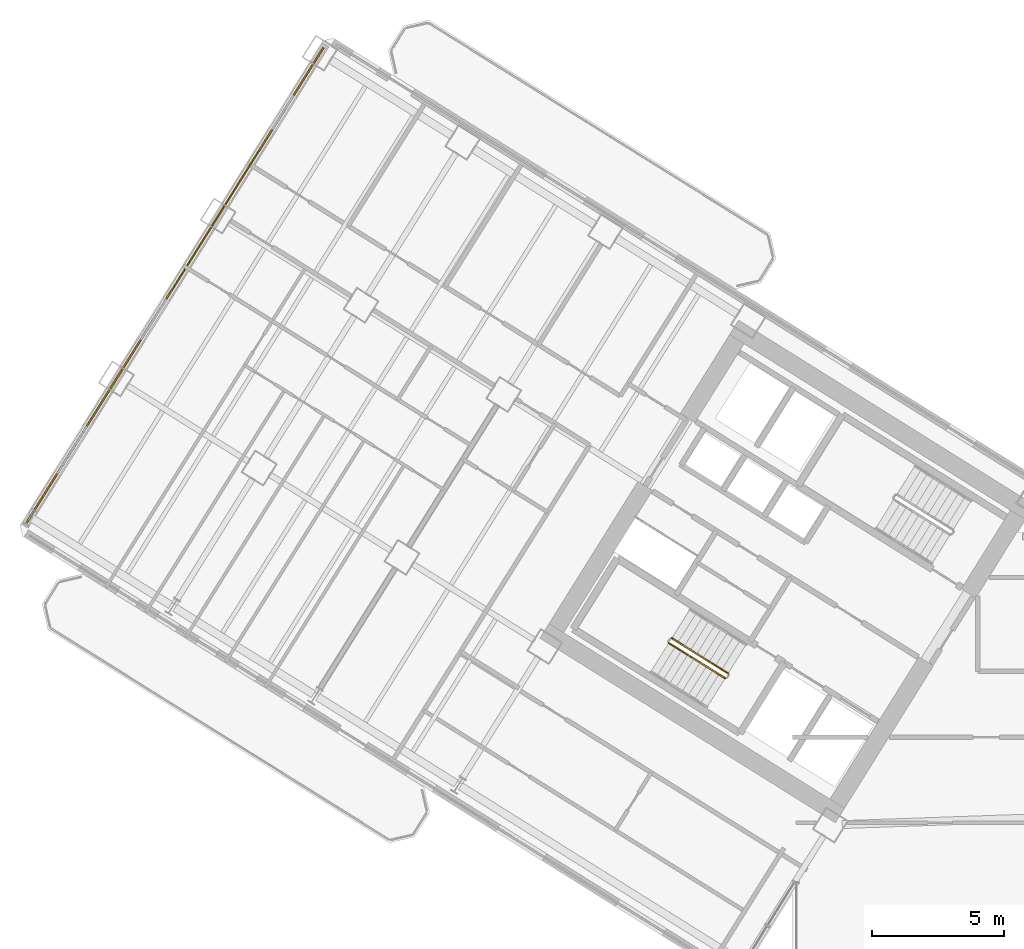
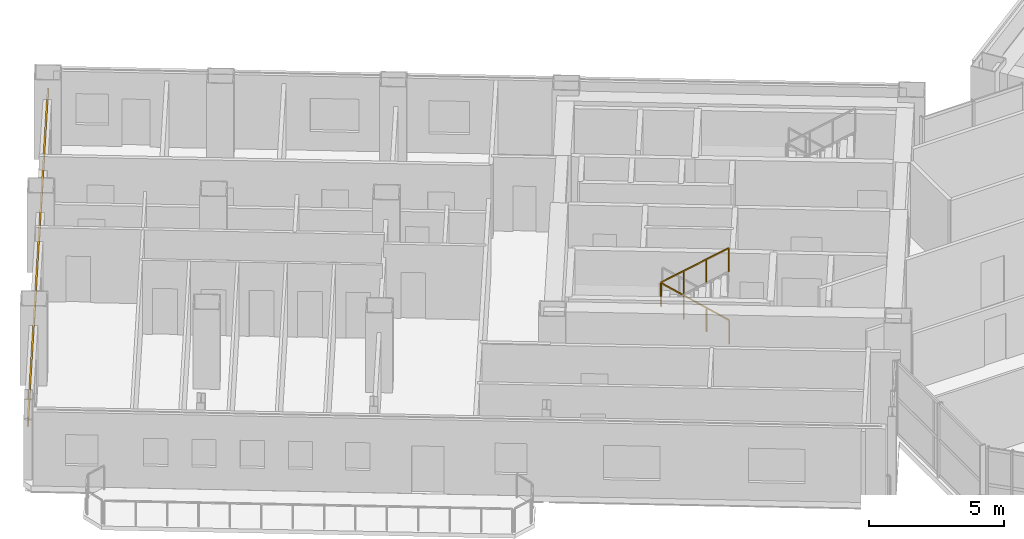
# One storey, part 23 of 28: 2 railings, 1 covering.
"""IFC4 building model written with IfcOpenShell, lengths in metres."""

from ifc_helpers import new_model, si_unit, direction, frame, origin, origin_2d, place, context, subcontext, project, spatial, rectangle, extrude, source, transform, mapped, material, layer, layer_set, type_object, element, save


model = new_model("IFC4")

# Units and contexts
model_context = context("Model", 3, precision=1e-05, world=origin(), true_north=direction((0.0, 1.0)))
body_context = subcontext(model_context, "Body", "Model", "MODEL_VIEW")
ifc_project = project(units=[si_unit("LENGTHUNIT", "METRE"), si_unit("AREAUNIT", "SQUARE_METRE"), si_unit("VOLUMEUNIT", "CUBIC_METRE"), si_unit("PLANEANGLEUNIT", "RADIAN"), si_unit("MASSUNIT", "GRAM", prefix="KILO")], contexts=[model_context])

# Site, building, storey
site_placement = place(None, origin())
site = spatial("IfcSite", under=ifc_project, at=site_placement, CompositionType="ELEMENT")
building_placement = place(site_placement, origin())
building = spatial("IfcBuilding", under=site, at=building_placement, Name="Tlacorven Tower", CompositionType="ELEMENT")
storey_placement = place(building_placement, frame((0.0, 0.0, 63.60009765625)))
storey = spatial("IfcBuildingStorey", under=building, at=storey_placement, Name="L16", CompositionType="ELEMENT", Elevation=63.60009765625)

# Covering
ifc_material_1 = material(Name="Precast concrete C45/55", Category="concrete")
ifc_layer = layer(ifc_material_1, 0.06005859375)
ifc_layer_set = layer_set([ifc_layer], Name="Precast concrete C45/55")
covering_type = type_object("IfcCoveringType", Name="CV-CLD-TERC", PredefinedType="CLADDING", material=ifc_layer_set)
shared_shape_1 = source(origin(), body_context, "Body", "SweptSolid", [
    extrude(rectangle(XDim=21.287353515625, YDim=0.06005859375, at=origin_2d()), origin(), (0.0, 0.0, 1.0), 0.419921875),
])
covering_placement = place(storey_placement, frame((8.13427734375, 32.606201171875, 2.304931640625), z_axis=(0.0, 0.0, 1.0), x_axis=(0.529918940959, 0.84804829816, 0.0)))
element("IfcCovering", 1, at=covering_placement, inside=storey, type_object=covering_type, Name="L16 Masonry-Frame Spandrel Cladding 2", PredefinedType="CLADDING", context=body_context, shape_type="MappedRepresentation", body=[
    mapped(shared_shape_1, transform((0.0, 0.0, 0.0), scale=1.0)),
])

# Railings
ifc_material_2 = material(Name="Aluminium and painted steel balustrade", Category="steel")
railing_type = type_object("IfcRailingType", Name="RL-GRD-1100", PredefinedType="GUARDRAIL", material=ifc_material_2)
shared_shape_2 = source(origin(), body_context, "Body", "SweptSolid", [
    extrude(rectangle(XDim=0.048095703125, YDim=0.048095703125, at=origin_2d()), frame((0.0, 0.0, 1.076171875), z_axis=(-0.713351164325, 0.445793541512, 0.540738601085), x_axis=(-0.529955395941, -0.84802551749, 0.0)), (0.0, 0.0, 1.0), 2.99560546875),
    extrude(rectangle(XDim=0.0419921875, YDim=0.0419921875, at=origin_2d()), origin(), (0.0, 0.0, 1.0), 1.052001953125),
    extrude(rectangle(XDim=0.0419921875, YDim=0.0419921875, at=origin_2d()), frame((-0.71240234375, 0.445068359375, 0.5400390625)), (0.0, 0.0, 1.0), 1.052001953125),
    extrude(rectangle(XDim=0.0419921875, YDim=0.0419921875, at=origin_2d()), frame((-1.424560546875, 0.890380859375, 1.079833984375)), (0.0, 0.0, 1.0), 1.052001953125),
    extrude(rectangle(XDim=0.0419921875, YDim=0.0419921875, at=origin_2d()), frame((-2.136962890625, 1.33544921875, 1.619873046875)), (0.0, 0.0, 1.0), 1.052001953125),
])
railing_1_placement = place(storey_placement, frame((29.16064453125, 17.851806640625, 0.179931640625)))
element("IfcRailing", 2, at=railing_1_placement, inside=storey, type_object=railing_type, Name="L16 ST-W1 stair guard 1", PredefinedType="GUARDRAIL", context=body_context, shape_type="MappedRepresentation", body=[
    mapped(shared_shape_2, transform((0.0, 0.0, 0.0), scale=1.0)),
])
shared_shape_3 = source(origin(), body_context, "Body", "SweptSolid", [
    extrude(rectangle(XDim=0.048095703125, YDim=0.048095703125, at=origin_2d()), frame((0.0, 0.0, 1.076171875), z_axis=(0.71339118691, -0.44576762536, 0.540707165313), x_axis=(0.529911857636, 0.848052724267, 0.0)), (0.0, 0.0, 1.0), 2.995849609375),
    extrude(rectangle(XDim=0.0419921875, YDim=0.0419921875, at=origin_2d()), origin(), (0.0, 0.0, 1.0), 1.052001953125),
    extrude(rectangle(XDim=0.0419921875, YDim=0.0419921875, at=origin_2d()), frame((0.71240234375, -0.445068359375, 0.5400390625)), (0.0, 0.0, 1.0), 1.052001953125),
    extrude(rectangle(XDim=0.0419921875, YDim=0.0419921875, at=origin_2d()), frame((1.4248046875, -0.890380859375, 1.079833984375)), (0.0, 0.0, 1.0), 1.052001953125),
    extrude(rectangle(XDim=0.0419921875, YDim=0.0419921875, at=origin_2d()), frame((2.13720703125, -1.33544921875, 1.619873046875)), (0.0, 0.0, 1.0), 1.052001953125),
])
railing_2_placement = place(storey_placement, frame((26.906982421875, 19.000732421875, 1.97998046875)))
element("IfcRailing", 3, at=railing_2_placement, inside=storey, type_object=railing_type, Name="L16 ST-W1 stair guard 3", PredefinedType="GUARDRAIL", context=body_context, shape_type="MappedRepresentation", body=[
    mapped(shared_shape_3, transform((0.0, 0.0, 0.0), scale=1.0)),
])

save(model, "model.ifc")
